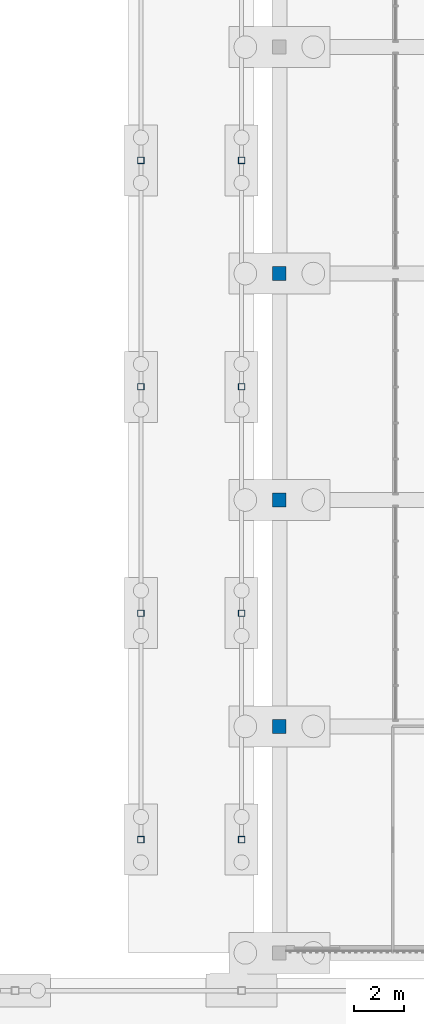
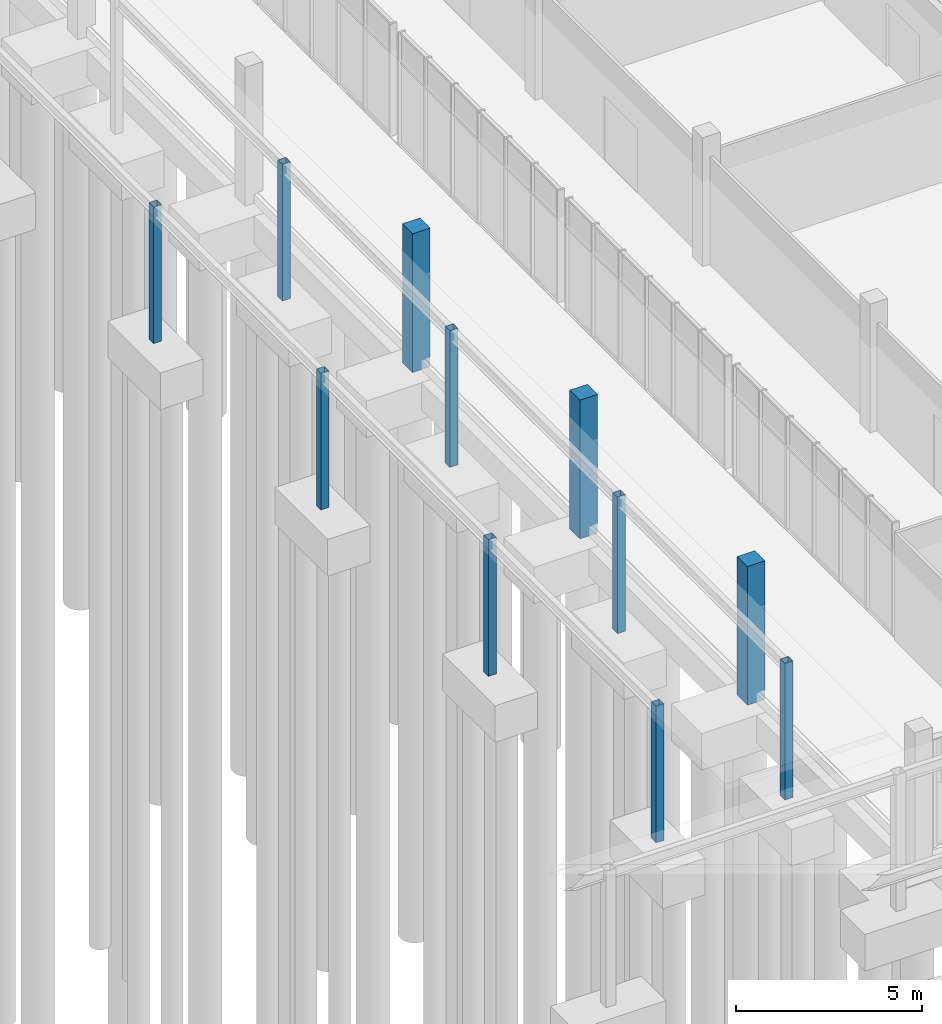
# One storey, part 17 of 106: 11 columns.
"""IFC4 building model written with IfcOpenShell, lengths in metres."""

from ifc_helpers import new_model, si_unit, direction, frame, origin, origin_2d, place, context, subcontext, project, spatial, rectangle, hollow_rectangle, extrude, material, material_profile, profile_set, type_object, element, save


model = new_model("IFC4")

# Units and contexts
model_context = context("Model", 3, precision=1e-05, world=origin(), true_north=direction((0.0, 1.0)))
body_context = subcontext(model_context, "Body", "Model", "MODEL_VIEW")
ifc_project = project(units=[si_unit("LENGTHUNIT", "METRE"), si_unit("AREAUNIT", "SQUARE_METRE"), si_unit("VOLUMEUNIT", "CUBIC_METRE"), si_unit("PLANEANGLEUNIT", "RADIAN"), si_unit("MASSUNIT", "GRAM", prefix="KILO")], contexts=[model_context])

# Site, building, storey
site_placement = place(None, origin())
site = spatial("IfcSite", under=ifc_project, at=site_placement, CompositionType="ELEMENT")
building_placement = place(site_placement, origin())
building = spatial("IfcBuilding", under=site, at=building_placement, Name="Merrow Basin Faculty of Sciences", CompositionType="ELEMENT")
storey_placement = place(building_placement, origin())
storey = spatial("IfcBuildingStorey", under=building, at=storey_placement, Name="L00", CompositionType="ELEMENT", Elevation=0.0)

# Columns
ifc_material_1 = material(Name="Steel ASTM A500 Gr C", Category="steel")
ifc_material_profile_1 = material_profile(ifc_material_1, hollow_rectangle(XDim=0.25390625, YDim=0.25390625, WallThickness=0.009521484375, at=origin_2d()))
ifc_profile_set_1 = profile_set([ifc_material_profile_1], Name="Steel ASTM A500 Gr C")
column_type_1 = type_object("IfcColumnType", Name="Canopy column HSS254x254x9.5", PredefinedType="COLUMN", material=ifc_profile_set_1)
for number, where, z_axis, x_axis, name in (
    (1, (48.5, 65.5, -0.300048828125), (0.0, 0.0, 1.0), (1.0, 0.0, 0.0), "Canopy column P3"),
    (2, (48.5, 74.5, -0.300048828125), (0.0, 0.0, 1.0), (1.0, 0.0, 0.0), "Canopy column P3"),
    (3, (48.5, 83.5, -0.300048828125), (0.0, 0.0, 1.0), (1.0, 0.0, 0.0), "Canopy column P3"),
    (4, (48.5, 92.5, -0.300048828125), (0.0, 0.0, 1.0), (1.0, 0.0, 0.0), "Canopy column P3"),
    (5, (52.5, 65.5, -0.300048828125), (0.0, 0.0, 1.0), (1.0, 0.0, 0.0), "Canopy column P3"),
    (6, (52.5, 74.5, -0.300048828125), (0.0, 0.0, 1.0), (1.0, 0.0, 0.0), "Canopy column P3"),
    (7, (52.5, 83.5, -0.300048828125), (0.0, 0.0, 1.0), (1.0, 0.0, 0.0), "Canopy column P3"),
    (8, (52.5, 92.5, -0.300048828125), (0.0, 0.0, 1.0), (1.0, 0.0, 0.0), "Canopy column P3"),
):
    element("IfcColumn", number, at=place(storey_placement, frame(where, z_axis=z_axis, x_axis=x_axis)), inside=storey, type_object=column_type_1, Name=name, PredefinedType="COLUMN", context=body_context, shape_type="SweptSolid", body=[
        extrude(hollow_rectangle(XDim=0.25390625, YDim=0.25390625, WallThickness=0.009521484375, at=origin_2d()), origin(), (0.0, 0.0, 1.0), 4.47998046875),
    ])
ifc_material_2 = material(Name="Concrete C40/50", Category="concrete")
ifc_material_profile_2 = material_profile(ifc_material_2, rectangle(XDim=0.550048828125, YDim=0.550048828125, at=origin_2d()))
ifc_profile_set_2 = profile_set([ifc_material_profile_2], Name="Concrete C40/50")
column_type_2 = type_object("IfcColumnType", Name="Column RC550x550 C40/50", PredefinedType="COLUMN", material=ifc_profile_set_2)
for number, where, z_axis, x_axis, name in (
    (9, (54.0, 70.0, -0.300048828125), (0.0, 0.0, 1.0), (1.0, 0.0, 0.0), "Column G2 L00"),
    (10, (54.0, 79.0, -0.300048828125), (0.0, 0.0, 1.0), (1.0, 0.0, 0.0), "Column G3 L00"),
    (11, (54.0, 88.0, -0.300048828125), (0.0, 0.0, 1.0), (1.0, 0.0, 0.0), "Column G4 L00"),
):
    element("IfcColumn", number, at=place(storey_placement, frame(where, z_axis=z_axis, x_axis=x_axis)), inside=storey, type_object=column_type_2, Name=name, PredefinedType="COLUMN", context=body_context, shape_type="SweptSolid", body=[
        extrude(rectangle(XDim=0.550048828125, YDim=0.550048828125, at=origin_2d()), origin(), (0.0, 0.0, 1.0), 4.550048828125),
    ])

save(model, "model.ifc")
